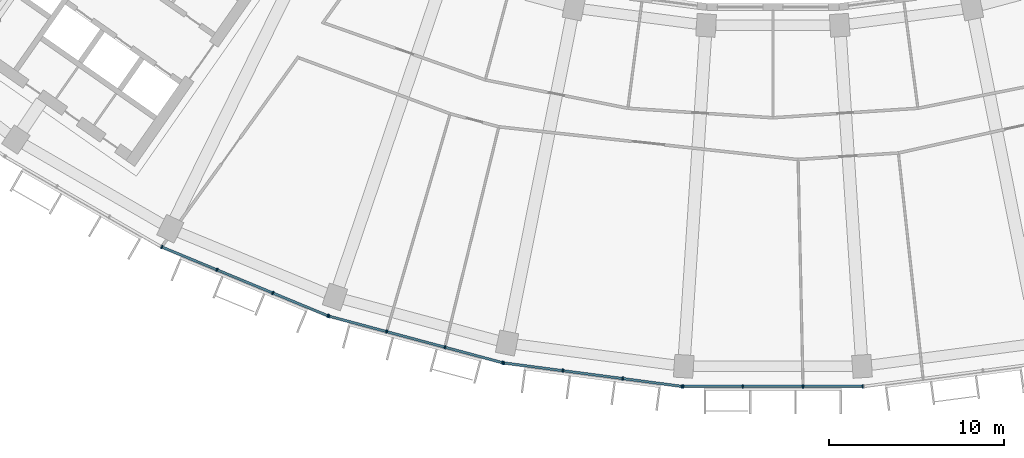
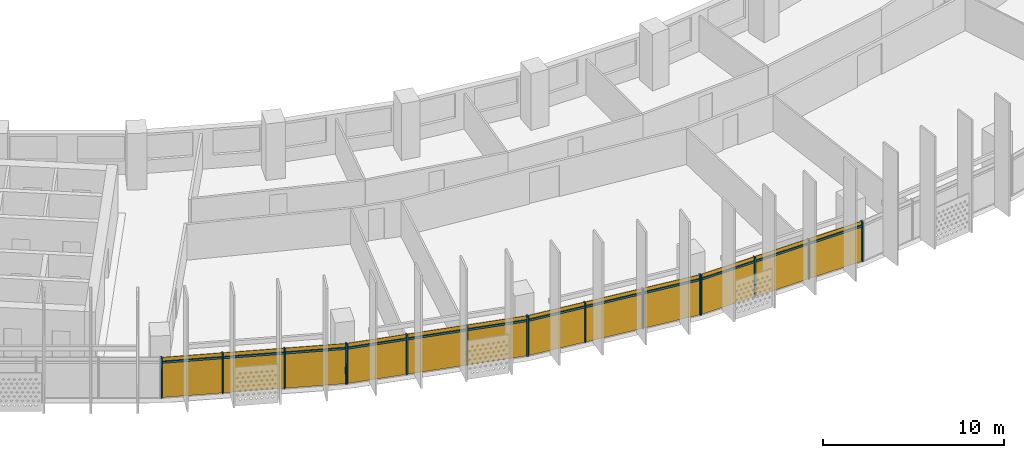
# One storey, part 18 of 26: 28 members, 4 curtain walls.
"""IFC4 building model written with IfcOpenShell, lengths in metres."""

from ifc_helpers import new_model, si_unit, direction, frame, origin, origin_2d, place, context, subcontext, project, spatial, rectangle, extrude, material, material_profile, profile_set, type_object, element, aggregate, save


model = new_model("IFC4")

# Units and contexts
model_context = context("Model", 3, precision=1e-05, world=origin(), true_north=direction((0.0, 1.0)))
body_context = subcontext(model_context, "Body", "Model", "MODEL_VIEW")
ifc_project = project(units=[si_unit("LENGTHUNIT", "METRE"), si_unit("AREAUNIT", "SQUARE_METRE"), si_unit("VOLUMEUNIT", "CUBIC_METRE"), si_unit("PLANEANGLEUNIT", "RADIAN"), si_unit("MASSUNIT", "GRAM", prefix="KILO")], contexts=[model_context])

# Member
ifc_material = material(Name="Aluminium 6063-T6 anodised", Category="aluminium")
ifc_material_profile_1 = material_profile(ifc_material, rectangle(XDim=0.199951171875, YDim=0.070068359375, at=origin_2d()))
ifc_profile_set_1 = profile_set([ifc_material_profile_1], Name="Aluminium 6063-T6 anodised")
member_type_1 = type_object("IfcMemberType", Name="Mullion 70 x 200 aluminium", PredefinedType="MULLION", material=ifc_profile_set_1)
site_placement = place(None, origin())
building_placement = place(site_placement, origin())
storey_placement = place(building_placement, frame((0.0, 0.0, 156.89990234375)))
member_1_placement = place(storey_placement, frame((-34.8701171875, -70.77392578125, 0.0), z_axis=(0.0, 0.0, 1.0), x_axis=(0.382683432365, 0.923879532511, 0.0)))
member_1 = element("IfcMember", 1, at=member_1_placement, type_object=member_type_1, Name="e-cw1-L36-out04/M00", PredefinedType="MULLION", context=body_context, shape_type="SweptSolid", body=[
    extrude(rectangle(XDim=0.199951171875, YDim=0.070068359375, at=origin_2d()), origin(), (0.0, 0.0, 1.0), 2.7001953125),
])

member_2_placement = place(storey_placement, frame((-31.72021484375, -72.078857421875, 0.0), z_axis=(0.0, 0.0, 1.0), x_axis=(0.382683432365, 0.923879532511, 0.0)))
member_2 = element("IfcMember", 2, at=member_2_placement, type_object=member_type_1, Name="e-cw1-L36-out04/M01", PredefinedType="MULLION", context=body_context, shape_type="SweptSolid", body=[
    extrude(rectangle(XDim=0.199951171875, YDim=0.070068359375, at=origin_2d()), origin(), (0.0, 0.0, 1.0), 2.7001953125),
])

member_3_placement = place(storey_placement, frame((-28.537841796875, -73.39697265625, 0.0), z_axis=(0.0, 0.0, 1.0), x_axis=(0.382683432365, 0.923879532511, 0.0)))
member_3 = element("IfcMember", 3, at=member_3_placement, type_object=member_type_1, Name="e-cw1-L36-out04/M02", PredefinedType="MULLION", context=body_context, shape_type="SweptSolid", body=[
    extrude(rectangle(XDim=0.199951171875, YDim=0.070068359375, at=origin_2d()), origin(), (0.0, 0.0, 1.0), 2.7001953125),
])

member_4_placement = place(storey_placement, frame((-25.3876953125, -74.70166015625, 0.0), z_axis=(0.0, 0.0, 1.0), x_axis=(0.382683432365, 0.923879532511, 0.0)))
member_4 = element("IfcMember", 4, at=member_4_placement, type_object=member_type_1, Name="e-cw1-L36-out04/M03", PredefinedType="MULLION", context=body_context, shape_type="SweptSolid", body=[
    extrude(rectangle(XDim=0.199951171875, YDim=0.070068359375, at=origin_2d()), origin(), (0.0, 0.0, 1.0), 2.7001953125),
])

member_5_placement = place(storey_placement, frame((-25.333984375, -74.719970703125, 0.0), z_axis=(0.0, 0.0, 1.0), x_axis=(0.258819045103, 0.965925826289, 0.0)))
member_5 = element("IfcMember", 5, at=member_5_placement, type_object=member_type_1, Name="e-cw1-L36-out05/M00", PredefinedType="MULLION", context=body_context, shape_type="SweptSolid", body=[
    extrude(rectangle(XDim=0.199951171875, YDim=0.070068359375, at=origin_2d()), origin(), (0.0, 0.0, 1.0), 2.7001953125),
])

member_6_placement = place(storey_placement, frame((-22.04052734375, -75.602294921875, 0.0), z_axis=(0.0, 0.0, 1.0), x_axis=(0.258819045103, 0.965925826289, 0.0)))
member_6 = element("IfcMember", 6, at=member_6_placement, type_object=member_type_1, Name="e-cw1-L36-out05/M01", PredefinedType="MULLION", context=body_context, shape_type="SweptSolid", body=[
    extrude(rectangle(XDim=0.199951171875, YDim=0.070068359375, at=origin_2d()), origin(), (0.0, 0.0, 1.0), 2.7001953125),
])

member_7_placement = place(storey_placement, frame((-18.71337890625, -76.493896484375, 0.0), z_axis=(0.0, 0.0, 1.0), x_axis=(0.258819045103, 0.965925826289, 0.0)))
member_7 = element("IfcMember", 7, at=member_7_placement, type_object=member_type_1, Name="e-cw1-L36-out05/M02", PredefinedType="MULLION", context=body_context, shape_type="SweptSolid", body=[
    extrude(rectangle(XDim=0.199951171875, YDim=0.070068359375, at=origin_2d()), origin(), (0.0, 0.0, 1.0), 2.7001953125),
])

member_8_placement = place(storey_placement, frame((-15.420166015625, -77.37646484375, 0.0), z_axis=(0.0, 0.0, 1.0), x_axis=(0.258819045103, 0.965925826289, 0.0)))
member_8 = element("IfcMember", 8, at=member_8_placement, type_object=member_type_1, Name="e-cw1-L36-out05/M03", PredefinedType="MULLION", context=body_context, shape_type="SweptSolid", body=[
    extrude(rectangle(XDim=0.199951171875, YDim=0.070068359375, at=origin_2d()), origin(), (0.0, 0.0, 1.0), 2.7001953125),
])

member_9_placement = place(storey_placement, frame((-15.364501953125, -77.387451171875, 0.0), z_axis=(0.0, 0.0, 1.0), x_axis=(0.13052619222, 0.991444861374, 0.0)))
member_9 = element("IfcMember", 9, at=member_9_placement, type_object=member_type_1, Name="e-cw1-L36-out06/M00", PredefinedType="MULLION", context=body_context, shape_type="SweptSolid", body=[
    extrude(rectangle(XDim=0.199951171875, YDim=0.070068359375, at=origin_2d()), origin(), (0.0, 0.0, 1.0), 2.7001953125),
])

member_10_placement = place(storey_placement, frame((-11.98388671875, -77.83251953125, 0.0), z_axis=(0.0, 0.0, 1.0), x_axis=(0.13052619222, 0.991444861374, 0.0)))
member_10 = element("IfcMember", 10, at=member_10_placement, type_object=member_type_1, Name="e-cw1-L36-out06/M01", PredefinedType="MULLION", context=body_context, shape_type="SweptSolid", body=[
    extrude(rectangle(XDim=0.199951171875, YDim=0.070068359375, at=origin_2d()), origin(), (0.0, 0.0, 1.0), 2.7001953125),
])

member_11_placement = place(storey_placement, frame((-8.56884765625, -78.2822265625, 0.0), z_axis=(0.0, 0.0, 1.0), x_axis=(0.13052619222, 0.991444861374, 0.0)))
member_11 = element("IfcMember", 11, at=member_11_placement, type_object=member_type_1, Name="e-cw1-L36-out06/M02", PredefinedType="MULLION", context=body_context, shape_type="SweptSolid", body=[
    extrude(rectangle(XDim=0.199951171875, YDim=0.070068359375, at=origin_2d()), origin(), (0.0, 0.0, 1.0), 2.7001953125),
])

member_12_placement = place(storey_placement, frame((-5.1884765625, -78.72705078125, 0.0), z_axis=(0.0, 0.0, 1.0), x_axis=(0.13052619222, 0.991444861374, 0.0)))
member_12 = element("IfcMember", 12, at=member_12_placement, type_object=member_type_1, Name="e-cw1-L36-out06/M03", PredefinedType="MULLION", context=body_context, shape_type="SweptSolid", body=[
    extrude(rectangle(XDim=0.199951171875, YDim=0.070068359375, at=origin_2d()), origin(), (0.0, 0.0, 1.0), 2.7001953125),
])

member_13_placement = place(storey_placement, frame((-5.1318359375, -78.73095703125, 0.0), z_axis=(0.0, 0.0, 1.0), x_axis=(0.0, 1.0, 0.0)))
member_13 = element("IfcMember", 13, at=member_13_placement, type_object=member_type_1, Name="e-cw1-L36-out07/M00", PredefinedType="MULLION", context=body_context, shape_type="SweptSolid", body=[
    extrude(rectangle(XDim=0.199951171875, YDim=0.070068359375, at=origin_2d()), origin(), (0.0, 0.0, 1.0), 2.7001953125),
])

member_14_placement = place(storey_placement, frame((-1.72216796875, -78.73095703125, 0.0), z_axis=(0.0, 0.0, 1.0), x_axis=(0.0, 1.0, 0.0)))
member_14 = element("IfcMember", 14, at=member_14_placement, type_object=member_type_1, Name="e-cw1-L36-out07/M01", PredefinedType="MULLION", context=body_context, shape_type="SweptSolid", body=[
    extrude(rectangle(XDim=0.199951171875, YDim=0.070068359375, at=origin_2d()), origin(), (0.0, 0.0, 1.0), 2.7001953125),
])

member_15_placement = place(storey_placement, frame((1.72216796875, -78.73095703125, 0.0), z_axis=(0.0, 0.0, 1.0), x_axis=(0.0, 1.0, 0.0)))
member_15 = element("IfcMember", 15, at=member_15_placement, type_object=member_type_1, Name="e-cw1-L36-out07/M02", PredefinedType="MULLION", context=body_context, shape_type="SweptSolid", body=[
    extrude(rectangle(XDim=0.199951171875, YDim=0.070068359375, at=origin_2d()), origin(), (0.0, 0.0, 1.0), 2.7001953125),
])

member_16_placement = place(storey_placement, frame((5.1318359375, -78.73095703125, 0.0), z_axis=(0.0, 0.0, 1.0), x_axis=(0.0, 1.0, 0.0)))
member_16 = element("IfcMember", 16, at=member_16_placement, type_object=member_type_1, Name="e-cw1-L36-out07/M03", PredefinedType="MULLION", context=body_context, shape_type="SweptSolid", body=[
    extrude(rectangle(XDim=0.199951171875, YDim=0.070068359375, at=origin_2d()), origin(), (0.0, 0.0, 1.0), 2.7001953125),
])

ifc_material_profile_2 = material_profile(ifc_material, rectangle(XDim=0.139892578125, YDim=0.1201171875, at=origin_2d()))
ifc_profile_set_2 = profile_set([ifc_material_profile_2], Name="Aluminium 6063-T6 anodised")
member_type_2 = type_object("IfcMemberType", Name="Transom 120 x 140 aluminium", PredefinedType="USERDEFINED", material=ifc_profile_set_2)
member_17_placement = place(storey_placement, frame((-34.837890625, -70.787353515625, 2.400146484375), z_axis=(0.923875164544, -0.382693977401, 0.0), x_axis=(0.382693977401, 0.923875164544, 0.0)))
member_17 = element("IfcMember", 17, at=member_17_placement, type_object=member_type_2, Name="e-cw1-L36-out04/T00", ObjectType="TRANSOM", PredefinedType="USERDEFINED", context=body_context, shape_type="SweptSolid", body=[
    extrude(rectangle(XDim=0.139892578125, YDim=0.1201171875, at=origin_2d()), origin(), (0.0, 0.0, 1.0), 3.339599609375),
])

member_18_placement = place(storey_placement, frame((-31.687744140625, -72.092041015625, 2.400146484375), z_axis=(0.923866926753, -0.382713863941, 0.0), x_axis=(0.382713863941, 0.923866926753, 0.0)))
member_18 = element("IfcMember", 18, at=member_18_placement, type_object=member_type_2, Name="e-cw1-L36-out04/T01", ObjectType="TRANSOM", PredefinedType="USERDEFINED", context=body_context, shape_type="SweptSolid", body=[
    extrude(rectangle(XDim=0.139892578125, YDim=0.1201171875, at=origin_2d()), origin(), (0.0, 0.0, 1.0), 3.37451171875),
])

member_19_placement = place(storey_placement, frame((-28.50537109375, -73.410400390625, 2.400146484375), z_axis=(0.923890305385, -0.382657423311, 0.0), x_axis=(0.382657423311, 0.923890305385, 0.0)))
member_19 = element("IfcMember", 19, at=member_19_placement, type_object=member_type_2, Name="e-cw1-L36-out04/T02", ObjectType="TRANSOM", PredefinedType="USERDEFINED", context=body_context, shape_type="SweptSolid", body=[
    extrude(rectangle(XDim=0.139892578125, YDim=0.1201171875, at=origin_2d()), origin(), (0.0, 0.0, 1.0), 3.33935546875),
])

member_20_placement = place(storey_placement, frame((-25.30029296875, -74.72900390625, 2.400146484375), z_axis=(0.965933368091, -0.258790897074, 0.0), x_axis=(0.258790897074, 0.965933368091, 0.0)))
member_20 = element("IfcMember", 20, at=member_20_placement, type_object=member_type_2, Name="e-cw1-L36-out05/T00", ObjectType="TRANSOM", PredefinedType="USERDEFINED", context=body_context, shape_type="SweptSolid", body=[
    extrude(rectangle(XDim=0.139892578125, YDim=0.1201171875, at=origin_2d()), origin(), (0.0, 0.0, 1.0), 3.339599609375),
])

member_21_placement = place(storey_placement, frame((-22.0068359375, -75.611572265625, 2.400146484375), z_axis=(0.965932873966, -0.258792741381, 0.0), x_axis=(0.258792741381, 0.965932873966, 0.0)))
member_21 = element("IfcMember", 21, at=member_21_placement, type_object=member_type_2, Name="e-cw1-L36-out05/T01", ObjectType="TRANSOM", PredefinedType="USERDEFINED", context=body_context, shape_type="SweptSolid", body=[
    extrude(rectangle(XDim=0.139892578125, YDim=0.1201171875, at=origin_2d()), origin(), (0.0, 0.0, 1.0), 3.37451171875),
])

member_22_placement = place(storey_placement, frame((-18.6796875, -76.5029296875, 2.400146484375), z_axis=(0.96591509168, -0.258859103886, 0.0), x_axis=(0.258859103886, 0.96591509168, 0.0)))
member_22 = element("IfcMember", 22, at=member_22_placement, type_object=member_type_2, Name="e-cw1-L36-out05/T02", ObjectType="TRANSOM", PredefinedType="USERDEFINED", context=body_context, shape_type="SweptSolid", body=[
    extrude(rectangle(XDim=0.139892578125, YDim=0.1201171875, at=origin_2d()), origin(), (0.0, 0.0, 1.0), 3.339599609375),
])

member_23_placement = place(storey_placement, frame((-15.32958984375, -77.39208984375, 2.400146484375), z_axis=(0.991448073325, -0.130501792706, 0.0), x_axis=(0.130501792706, 0.991448073325, 0.0)))
member_23 = element("IfcMember", 23, at=member_23_placement, type_object=member_type_2, Name="e-cw1-L36-out06/T00", ObjectType="TRANSOM", PredefinedType="USERDEFINED", context=body_context, shape_type="SweptSolid", body=[
    extrude(rectangle(XDim=0.139892578125, YDim=0.1201171875, at=origin_2d()), origin(), (0.0, 0.0, 1.0), 3.33935546875),
])

member_24_placement = place(storey_placement, frame((-11.94921875, -77.837158203125, 2.400146484375), z_axis=(0.991446413845, -0.130514399487, 0.0), x_axis=(0.130514399487, 0.991446413845, 0.0)))
member_24 = element("IfcMember", 24, at=member_24_placement, type_object=member_type_2, Name="e-cw1-L36-out06/T01", ObjectType="TRANSOM", PredefinedType="USERDEFINED", context=body_context, shape_type="SweptSolid", body=[
    extrude(rectangle(XDim=0.139892578125, YDim=0.1201171875, at=origin_2d()), origin(), (0.0, 0.0, 1.0), 3.37451171875),
])

member_25_placement = place(storey_placement, frame((-8.5341796875, -78.28662109375, 2.400146484375), z_axis=(0.991439857731, -0.130564193033, 0.0), x_axis=(0.130564193033, 0.991439857731, 0.0)))
member_25 = element("IfcMember", 25, at=member_25_placement, type_object=member_type_2, Name="e-cw1-L36-out06/T02", ObjectType="TRANSOM", PredefinedType="USERDEFINED", context=body_context, shape_type="SweptSolid", body=[
    extrude(rectangle(XDim=0.139892578125, YDim=0.1201171875, at=origin_2d()), origin(), (0.0, 0.0, 1.0), 3.339599609375),
])

member_26_placement = place(storey_placement, frame((-5.096923828125, -78.73095703125, 2.400146484375), z_axis=(1.0, 0.0, 0.0), x_axis=(0.0, 1.0, 0.0)))
member_26 = element("IfcMember", 26, at=member_26_placement, type_object=member_type_2, Name="e-cw1-L36-out07/T00", ObjectType="TRANSOM", PredefinedType="USERDEFINED", context=body_context, shape_type="SweptSolid", body=[
    extrude(rectangle(XDim=0.139892578125, YDim=0.1201171875, at=origin_2d()), origin(), (0.0, 0.0, 1.0), 3.339599609375),
])

member_27_placement = place(storey_placement, frame((-1.687255859375, -78.73095703125, 2.400146484375), z_axis=(1.0, 0.0, 0.0), x_axis=(0.0, 1.0, 0.0)))
member_27 = element("IfcMember", 27, at=member_27_placement, type_object=member_type_2, Name="e-cw1-L36-out07/T01", ObjectType="TRANSOM", PredefinedType="USERDEFINED", context=body_context, shape_type="SweptSolid", body=[
    extrude(rectangle(XDim=0.139892578125, YDim=0.1201171875, at=origin_2d()), origin(), (0.0, 0.0, 1.0), 3.37451171875),
])

member_28_placement = place(storey_placement, frame((1.75732421875, -78.73095703125, 2.400146484375), z_axis=(1.0, 0.0, 0.0), x_axis=(0.0, 1.0, 0.0)))
member_28 = element("IfcMember", 28, at=member_28_placement, type_object=member_type_2, Name="e-cw1-L36-out07/T02", ObjectType="TRANSOM", PredefinedType="USERDEFINED", context=body_context, shape_type="SweptSolid", body=[
    extrude(rectangle(XDim=0.139892578125, YDim=0.1201171875, at=origin_2d()), origin(), (0.0, 0.0, 1.0), 3.339599609375),
])

# Site, building, storey
site = spatial("IfcSite", under=ifc_project, at=site_placement, CompositionType="ELEMENT")
building = spatial("IfcBuilding", under=site, at=building_placement, Name="Qamariyya Broadcast Tower", CompositionType="ELEMENT")
storey = spatial("IfcBuildingStorey", under=building, at=storey_placement, Name="L36", CompositionType="ELEMENT", Elevation=156.89990234375)

# Curtain wall
curtain_wall_type = type_object("IfcCurtainWallType", Name="Unitised curtain wall, anodised aluminium", PredefinedType="NOTDEFINED", material=ifc_material)
curtain_wall_1_placement = place(storey_placement, origin())
curtain_wall_1 = element("IfcCurtainWall", 29, at=curtain_wall_1_placement, inside=storey, type_object=curtain_wall_type, Name="e-cw1-L36-out04", PredefinedType="NOTDEFINED", context=body_context, shape_type="SweptSolid", body=[
    extrude(rectangle(XDim=3.339599609375, YDim=0.031982421875, at=origin_2d()), frame((-33.295166015625, -71.42626953125, 0.0), x_axis=(0.923878040314, -0.382687034829, 0.0)), (0.0, 0.0, 1.0), 2.340087890625),
    extrude(rectangle(XDim=3.339599609375, YDim=0.031982421875, at=origin_2d()), frame((-33.295166015625, -71.42626953125, 2.460205078125), x_axis=(0.923878040314, -0.382687034829, 0.0)), (0.0, 0.0, 1.0), 0.239990234375),
    extrude(rectangle(XDim=3.37451171875, YDim=0.031982421875, at=origin_2d()), frame((-30.12890625, -72.73779296875, 0.0), x_axis=(0.923878040314, -0.382687034829, 0.0)), (0.0, 0.0, 1.0), 2.340087890625),
    extrude(rectangle(XDim=3.37451171875, YDim=0.031982421875, at=origin_2d()), frame((-30.12890625, -72.73779296875, 2.460205078125), x_axis=(0.923878040314, -0.382687034829, 0.0)), (0.0, 0.0, 1.0), 0.239990234375),
    extrude(rectangle(XDim=3.339599609375, YDim=0.031982421875, at=origin_2d()), frame((-26.962890625, -74.04931640625, 0.0), x_axis=(0.923878040314, -0.382687034829, 0.0)), (0.0, 0.0, 1.0), 2.340087890625),
    extrude(rectangle(XDim=3.339599609375, YDim=0.031982421875, at=origin_2d()), frame((-26.962890625, -74.04931640625, 2.460205078125), x_axis=(0.923878040314, -0.382687034829, 0.0)), (0.0, 0.0, 1.0), 0.239990234375),
])

aggregate(curtain_wall_1, [member_1, member_2, member_3, member_4, member_17, member_18, member_19])

curtain_wall_2_placement = place(storey_placement, origin())
curtain_wall_2 = element("IfcCurtainWall", 30, at=curtain_wall_2_placement, inside=storey, type_object=curtain_wall_type, Name="e-cw1-L36-out05", PredefinedType="NOTDEFINED", context=body_context, shape_type="SweptSolid", body=[
    extrude(rectangle(XDim=3.339599609375, YDim=0.031982421875, at=origin_2d()), frame((-23.6875, -75.1611328125, 0.0), x_axis=(0.965926433062, -0.258816780584, 0.0)), (0.0, 0.0, 1.0), 2.340087890625),
    extrude(rectangle(XDim=3.339599609375, YDim=0.031982421875, at=origin_2d()), frame((-23.6875, -75.1611328125, 2.460205078125), x_axis=(0.965926433062, -0.258816780584, 0.0)), (0.0, 0.0, 1.0), 0.239990234375),
    extrude(rectangle(XDim=3.37451171875, YDim=0.031982421875, at=origin_2d()), frame((-20.376953125, -76.04833984375, 0.0), x_axis=(0.965926433062, -0.258816780584, 0.0)), (0.0, 0.0, 1.0), 2.340087890625),
    extrude(rectangle(XDim=3.37451171875, YDim=0.031982421875, at=origin_2d()), frame((-20.376953125, -76.04833984375, 2.460205078125), x_axis=(0.965926433062, -0.258816780584, 0.0)), (0.0, 0.0, 1.0), 0.239990234375),
    extrude(rectangle(XDim=3.339599609375, YDim=0.031982421875, at=origin_2d()), frame((-17.066650390625, -76.935302734375, 0.0), x_axis=(0.965926433062, -0.258816780584, 0.0)), (0.0, 0.0, 1.0), 2.340087890625),
    extrude(rectangle(XDim=3.339599609375, YDim=0.031982421875, at=origin_2d()), frame((-17.066650390625, -76.935302734375, 2.460205078125), x_axis=(0.965926433062, -0.258816780584, 0.0)), (0.0, 0.0, 1.0), 0.239990234375),
])

aggregate(curtain_wall_2, [member_5, member_6, member_7, member_8, member_20, member_21, member_22])

curtain_wall_3_placement = place(storey_placement, origin())
curtain_wall_3 = element("IfcCurtainWall", 31, at=curtain_wall_3_placement, inside=storey, type_object=curtain_wall_type, Name="e-cw1-L36-out06", PredefinedType="NOTDEFINED", context=body_context, shape_type="SweptSolid", body=[
    extrude(rectangle(XDim=3.339599609375, YDim=0.031982421875, at=origin_2d()), frame((-13.67431640625, -77.60986328125, 0.0), x_axis=(0.991444240905, -0.130530905064, 0.0)), (0.0, 0.0, 1.0), 2.340087890625),
    extrude(rectangle(XDim=3.339599609375, YDim=0.031982421875, at=origin_2d()), frame((-13.67431640625, -77.60986328125, 2.460205078125), x_axis=(0.991444240905, -0.130530905064, 0.0)), (0.0, 0.0, 1.0), 0.239990234375),
    extrude(rectangle(XDim=3.37451171875, YDim=0.031982421875, at=origin_2d()), frame((-10.2763671875, -78.05712890625, 0.0), x_axis=(0.991444240905, -0.130530905064, 0.0)), (0.0, 0.0, 1.0), 2.340087890625),
    extrude(rectangle(XDim=3.37451171875, YDim=0.031982421875, at=origin_2d()), frame((-10.2763671875, -78.05712890625, 2.460205078125), x_axis=(0.991444240905, -0.130530905064, 0.0)), (0.0, 0.0, 1.0), 0.239990234375),
    extrude(rectangle(XDim=3.339599609375, YDim=0.031982421875, at=origin_2d()), frame((-6.878662109375, -78.504638671875, 0.0), x_axis=(0.991444240905, -0.130530905064, 0.0)), (0.0, 0.0, 1.0), 2.340087890625),
    extrude(rectangle(XDim=3.339599609375, YDim=0.031982421875, at=origin_2d()), frame((-6.878662109375, -78.504638671875, 2.460205078125), x_axis=(0.991444240905, -0.130530905064, 0.0)), (0.0, 0.0, 1.0), 0.239990234375),
])

aggregate(curtain_wall_3, [member_9, member_10, member_11, member_12, member_23, member_24, member_25])

curtain_wall_4_placement = place(storey_placement, origin())
curtain_wall_4 = element("IfcCurtainWall", 32, at=curtain_wall_4_placement, inside=storey, type_object=curtain_wall_type, Name="e-cw1-L36-out07", PredefinedType="NOTDEFINED", context=body_context, shape_type="SweptSolid", body=[
    extrude(rectangle(XDim=3.339599609375, YDim=0.031982421875, at=origin_2d()), frame((-3.427001953125, -78.73095703125, 0.0), x_axis=(1.0, 0.0, 0.0)), (0.0, 0.0, 1.0), 2.340087890625),
    extrude(rectangle(XDim=3.339599609375, YDim=0.031982421875, at=origin_2d()), frame((-3.427001953125, -78.73095703125, 2.460205078125), x_axis=(1.0, 0.0, 0.0)), (0.0, 0.0, 1.0), 0.239990234375),
    extrude(rectangle(XDim=3.37451171875, YDim=0.031982421875, at=origin_2d()), frame((0.0, -78.73095703125, 0.0), x_axis=(1.0, 0.0, 0.0)), (0.0, 0.0, 1.0), 2.340087890625),
    extrude(rectangle(XDim=3.37451171875, YDim=0.031982421875, at=origin_2d()), frame((0.0, -78.73095703125, 2.460205078125), x_axis=(1.0, 0.0, 0.0)), (0.0, 0.0, 1.0), 0.239990234375),
    extrude(rectangle(XDim=3.339599609375, YDim=0.031982421875, at=origin_2d()), frame((3.427001953125, -78.73095703125, 0.0), x_axis=(1.0, 0.0, 0.0)), (0.0, 0.0, 1.0), 2.340087890625),
    extrude(rectangle(XDim=3.339599609375, YDim=0.031982421875, at=origin_2d()), frame((3.427001953125, -78.73095703125, 2.460205078125), x_axis=(1.0, 0.0, 0.0)), (0.0, 0.0, 1.0), 0.239990234375),
])

aggregate(curtain_wall_4, [member_13, member_14, member_15, member_16, member_26, member_27, member_28])

save(model, "model.ifc")
